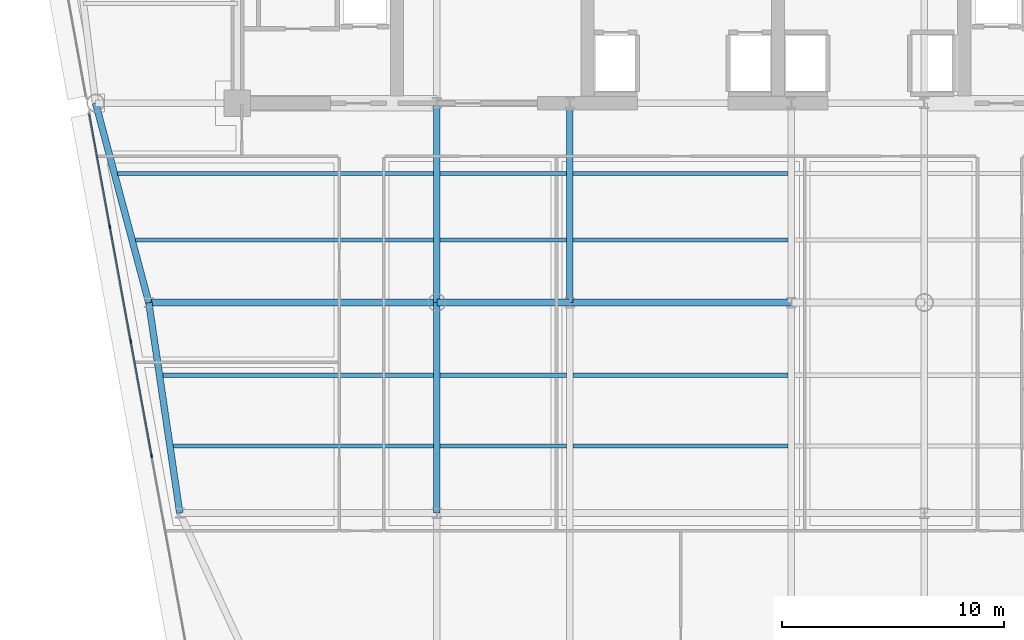
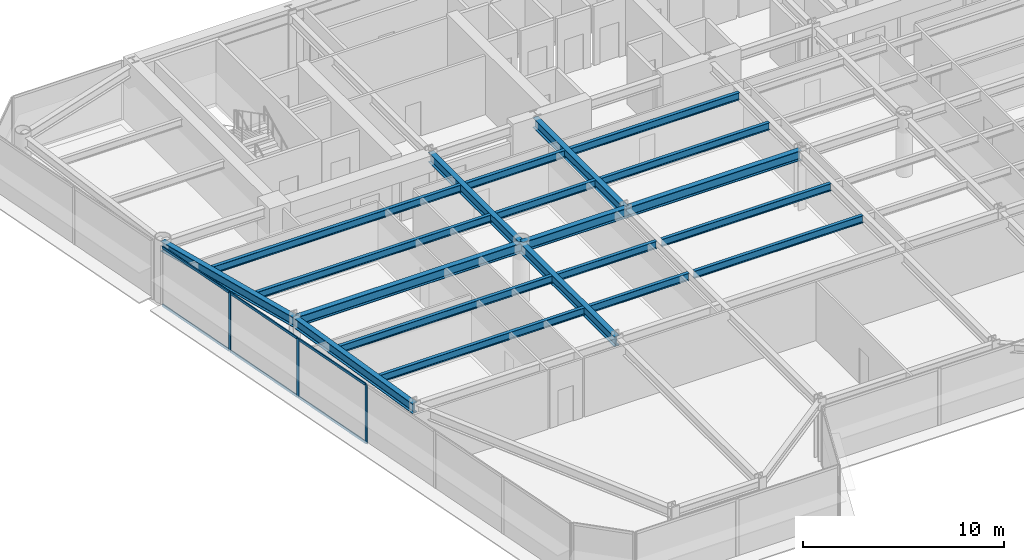
# One storey, part 4 of 17: 20 beams, 9 members, 1 element without a shape of its own.
"""IFC4 building model written with IfcOpenShell, lengths in metres."""

from ifc_helpers import new_model, si_unit, direction, frame, origin, origin_2d, place, context, subcontext, project, spatial, rectangle, i_section, extrude, source, transform, mapped, material, layer, layer_set, material_profile, profile_set, type_object, element, aggregate, save


model = new_model("IFC4")

# Units and contexts
model_context = context("Model", 3, precision=1e-05, world=origin(), true_north=direction((0.0, 1.0)))
body_context = subcontext(model_context, "Body", "Model", "MODEL_VIEW")
ifc_project = project(units=[si_unit("LENGTHUNIT", "METRE"), si_unit("AREAUNIT", "SQUARE_METRE"), si_unit("VOLUMEUNIT", "CUBIC_METRE"), si_unit("PLANEANGLEUNIT", "RADIAN"), si_unit("MASSUNIT", "GRAM", prefix="KILO")], contexts=[model_context])

# Site, building, storey
site_placement = place(None, origin())
site = spatial("IfcSite", under=ifc_project, at=site_placement, CompositionType="ELEMENT")
building_placement = place(site_placement, origin())
building = spatial("IfcBuilding", under=site, at=building_placement, Name="Vaeldorn Concourse Tower", CompositionType="ELEMENT")
storey_placement = place(building_placement, frame((0.0, 0.0, 169.0)))
storey = spatial("IfcBuildingStorey", under=building, at=storey_placement, Name="L43", CompositionType="ELEMENT", Elevation=169.0)

# Beams
ifc_material_1 = material(Name="Steel S355", Category="steel")
ifc_material_profile_1 = material_profile(ifc_material_1, i_section(OverallWidth=0.18994140625, OverallDepth=0.449951171875, WebThickness=0.009521484375, FlangeThickness=0.0146484375, FilletRadius=0.02099609375, at=origin_2d()), Name="IPE 450")
ifc_profile_set_1 = profile_set([ifc_material_profile_1], Name="Steel S355")
beam_type_1 = type_object("IfcBeamType", Name="BM-JS-IPE450", PredefinedType="JOIST", material=ifc_profile_set_1)
shared_shape_1 = source(origin(), body_context, "Body", "SweptSolid", [
    extrude(i_section(OverallWidth=0.18994140625, OverallDepth=0.449951171875, WebThickness=0.009521484375, FlangeThickness=0.0146484375, FilletRadius=0.02099609375, at=origin_2d()), origin(), (0.0, 0.0, 1.0), 5.7001953125),
])
for number, where, z_axis, x_axis, name in (
    (1, (23.14990234375, 21.02001953125, 3.35498046875), (1.0, 0.0, 0.0), (0.0, 1.0, 0.0), "Beam JS-L43-W2-210"),
    (2, (23.14990234375, 24.219970703125, 3.35498046875), (1.0, 0.0, 0.0), (0.0, 1.0, 0.0), "Beam JS-L43-W2-242"),
    (3, (23.14990234375, 30.320068359375, 3.35498046875), (1.0, 0.0, 0.0), (0.0, 1.0, 0.0), "Beam JS-L43-W2-303"),
    (4, (23.14990234375, 33.320068359375, 3.35498046875), (1.0, 0.0, 0.0), (0.0, 1.0, 0.0), "Beam JS-L43-W2-333"),
):
    element("IfcBeam", number, at=place(storey_placement, frame(where, z_axis=z_axis, x_axis=x_axis)), inside=storey, type_object=beam_type_1, Name=name, PredefinedType="JOIST", context=body_context, shape_type="MappedRepresentation", body=[
        mapped(shared_shape_1, transform((0.0, 0.0, 0.0), scale=1.0)),
    ])
shared_shape_2 = source(origin(), body_context, "Body", "SweptSolid", [
    extrude(i_section(OverallWidth=0.18994140625, OverallDepth=0.449951171875, WebThickness=0.009521484375, FlangeThickness=0.0146484375, FilletRadius=0.02099609375, at=origin_2d()), origin(), (0.0, 0.0, 1.0), 9.7001953125),
])
for number, where, z_axis, x_axis, name in (
    (5, (29.14990234375, 21.02001953125, 3.35498046875), (1.0, 0.0, 0.0), (0.0, 1.0, 0.0), "Beam JS-L43-C-210"),
    (6, (29.14990234375, 24.219970703125, 3.35498046875), (1.0, 0.0, 0.0), (0.0, 1.0, 0.0), "Beam JS-L43-C-242"),
    (7, (29.14990234375, 30.320068359375, 3.35498046875), (1.0, 0.0, 0.0), (0.0, 1.0, 0.0), "Beam JS-L43-C-303"),
    (8, (29.14990234375, 33.320068359375, 3.35498046875), (1.0, 0.0, 0.0), (0.0, 1.0, 0.0), "Beam JS-L43-C-333"),
):
    element("IfcBeam", number, at=place(storey_placement, frame(where, z_axis=z_axis, x_axis=x_axis)), inside=storey, type_object=beam_type_1, Name=name, PredefinedType="JOIST", context=body_context, shape_type="MappedRepresentation", body=[
        mapped(shared_shape_2, transform((0.0, 0.0, 0.0), scale=1.0)),
    ])
shared_shape_3 = source(origin(), body_context, "Body", "SweptSolid", [
    extrude(i_section(OverallWidth=0.18994140625, OverallDepth=0.449951171875, WebThickness=0.009521484375, FlangeThickness=0.0146484375, FilletRadius=0.02099609375, at=origin_2d()), origin(), (0.0, 0.0, 1.0), 11.7451171875),
])
beam_1_placement = place(storey_placement, frame((11.10498046875, 21.02001953125, 3.35498046875), z_axis=(1.0, 0.0, 0.0), x_axis=(0.0, 1.0, 0.0)))
element("IfcBeam", 9, at=beam_1_placement, inside=storey, type_object=beam_type_1, Name="Beam JS-L43-W1-210", PredefinedType="JOIST", context=body_context, shape_type="MappedRepresentation", body=[
    mapped(shared_shape_3, transform((0.0, 0.0, 0.0), scale=1.0)),
])
shared_shape_4 = source(origin(), body_context, "Body", "SweptSolid", [
    extrude(i_section(OverallWidth=0.18994140625, OverallDepth=0.449951171875, WebThickness=0.009521484375, FlangeThickness=0.0146484375, FilletRadius=0.02099609375, at=origin_2d()), origin(), (0.0, 0.0, 1.0), 12.216796875),
])
beam_2_placement = place(storey_placement, frame((10.63330078125, 24.219970703125, 3.35498046875), z_axis=(1.0, 0.0, 0.0), x_axis=(0.0, 1.0, 0.0)))
element("IfcBeam", 10, at=beam_2_placement, inside=storey, type_object=beam_type_1, Name="Beam JS-L43-W1-242", PredefinedType="JOIST", context=body_context, shape_type="MappedRepresentation", body=[
    mapped(shared_shape_4, transform((0.0, 0.0, 0.0), scale=1.0)),
])
shared_shape_5 = source(origin(), body_context, "Body", "SweptSolid", [
    extrude(i_section(OverallWidth=0.18994140625, OverallDepth=0.449951171875, WebThickness=0.009521484375, FlangeThickness=0.0146484375, FilletRadius=0.02099609375, at=origin_2d()), origin(), (0.0, 0.0, 1.0), 13.4521484375),
])
beam_3_placement = place(storey_placement, frame((9.39794921875, 30.320068359375, 3.35498046875), z_axis=(1.0, 0.0, 0.0), x_axis=(0.0, 1.0, 0.0)))
element("IfcBeam", 11, at=beam_3_placement, inside=storey, type_object=beam_type_1, Name="Beam JS-L43-W1-303", PredefinedType="JOIST", context=body_context, shape_type="MappedRepresentation", body=[
    mapped(shared_shape_5, transform((0.0, 0.0, 0.0), scale=1.0)),
])
shared_shape_6 = source(origin(), body_context, "Body", "SweptSolid", [
    extrude(i_section(OverallWidth=0.18994140625, OverallDepth=0.449951171875, WebThickness=0.009521484375, FlangeThickness=0.0146484375, FilletRadius=0.02099609375, at=origin_2d()), origin(), (0.0, 0.0, 1.0), 14.252197265625),
])
beam_4_placement = place(storey_placement, frame((8.597900390625, 33.320068359375, 3.35498046875), z_axis=(1.0, 0.0, 0.0), x_axis=(0.0, 1.0, 0.0)))
element("IfcBeam", 12, at=beam_4_placement, inside=storey, type_object=beam_type_1, Name="Beam JS-L43-W1-333", PredefinedType="JOIST", context=body_context, shape_type="MappedRepresentation", body=[
    mapped(shared_shape_6, transform((0.0, 0.0, 0.0), scale=1.0)),
])
ifc_material_profile_2 = material_profile(ifc_material_1, i_section(OverallWidth=0.300048828125, OverallDepth=0.60009765625, WebThickness=0.015380859375, FlangeThickness=0.030029296875, FilletRadius=0.027099609375, at=origin_2d()), Name="HEB 600")
ifc_profile_set_2 = profile_set([ifc_material_profile_2], Name="Steel S355")
beam_type_2 = type_object("IfcBeamType", Name="BM-PG-HEB600", PredefinedType="BEAM", material=ifc_profile_set_2)
shared_shape_7 = source(origin(), body_context, "Body", "SweptSolid", [
    extrude(i_section(OverallWidth=0.300048828125, OverallDepth=0.60009765625, WebThickness=0.015380859375, FlangeThickness=0.030029296875, FilletRadius=0.027099609375, at=origin_2d()), origin(), (0.0, 0.0, 1.0), 6.0),
])
beam_5_placement = place(storey_placement, frame((23.0, 27.5, 3.280029296875), z_axis=(1.0, 0.0, 0.0), x_axis=(0.0, 1.0, 0.0)))
element("IfcBeam", 13, at=beam_5_placement, inside=storey, type_object=beam_type_2, Name="Beam BM-L43-C-TW1-C-TW2", PredefinedType="BEAM", context=body_context, shape_type="MappedRepresentation", body=[
    mapped(shared_shape_7, transform((0.0, 0.0, 0.0), scale=1.0)),
])
shared_shape_8 = source(origin(), body_context, "Body", "SweptSolid", [
    extrude(i_section(OverallWidth=0.300048828125, OverallDepth=0.60009765625, WebThickness=0.015380859375, FlangeThickness=0.030029296875, FilletRadius=0.027099609375, at=origin_2d()), origin(), (0.0, 0.0, 1.0), 10.0),
])
beam_6_placement = place(storey_placement, frame((29.0, 27.5, 3.280029296875), z_axis=(1.0, 0.0, 0.0), x_axis=(0.0, 1.0, 0.0)))
element("IfcBeam", 14, at=beam_6_placement, inside=storey, type_object=beam_type_2, Name="Beam BM-L43-C-TW2-C-TW3", PredefinedType="BEAM", context=body_context, shape_type="MappedRepresentation", body=[
    mapped(shared_shape_8, transform((0.0, 0.0, 0.0), scale=1.0)),
])
shared_shape_9 = source(origin(), body_context, "Body", "SweptSolid", [
    extrude(i_section(OverallWidth=0.300048828125, OverallDepth=0.60009765625, WebThickness=0.015380859375, FlangeThickness=0.030029296875, FilletRadius=0.027099609375, at=origin_2d()), origin(), (0.0, 0.0, 1.0), 9.0),
])
for number, where, z_axis, x_axis, name in (
    (15, (23.0, 27.5, 3.280029296875), (0.0, 1.0, 0.0), (-1.0, 0.0, 0.0), "Beam BM-L43-C-TW1-C-FC2"),
    (16, (29.0, 27.5, 3.280029296875), (0.0, 1.0, 0.0), (-1.0, 0.0, 0.0), "Beam BM-L43-C-TW2-C-FC3"),
):
    element("IfcBeam", number, at=place(storey_placement, frame(where, z_axis=z_axis, x_axis=x_axis)), inside=storey, type_object=beam_type_2, Name=name, PredefinedType="BEAM", context=body_context, shape_type="MappedRepresentation", body=[
        mapped(shared_shape_9, transform((0.0, 0.0, 0.0), scale=1.0)),
    ])
shared_shape_10 = source(origin(), body_context, "Body", "SweptSolid", [
    extrude(i_section(OverallWidth=0.300048828125, OverallDepth=0.60009765625, WebThickness=0.015380859375, FlangeThickness=0.030029296875, FilletRadius=0.027099609375, at=origin_2d()), origin(), (0.0, 0.0, 1.0), 9.314453125),
])
beam_7_placement = place(storey_placement, frame((7.60009765625, 36.5, 3.280029296875), z_axis=(0.257652862255, -0.966237549763, 0.0), x_axis=(0.966237549763, 0.257652862255, 0.0)))
element("IfcBeam", 17, at=beam_7_placement, inside=storey, type_object=beam_type_2, Name="Beam BM-L43-C-NW2-C-FLW1", PredefinedType="BEAM", context=body_context, shape_type="MappedRepresentation", body=[
    mapped(shared_shape_10, transform((0.0, 0.0, 0.0), scale=1.0)),
])
shared_shape_11 = source(origin(), body_context, "Body", "SweptSolid", [
    extrude(i_section(OverallWidth=0.300048828125, OverallDepth=0.60009765625, WebThickness=0.015380859375, FlangeThickness=0.030029296875, FilletRadius=0.027099609375, at=origin_2d()), origin(), (0.0, 0.0, 1.0), 13.0),
])
beam_8_placement = place(storey_placement, frame((10.0, 27.5, 3.280029296875), z_axis=(1.0, 0.0, 0.0), x_axis=(0.0, 1.0, 0.0)))
element("IfcBeam", 18, at=beam_8_placement, inside=storey, type_object=beam_type_2, Name="Beam BM-L43-C-FLW1-C-TW1", PredefinedType="BEAM", context=body_context, shape_type="MappedRepresentation", body=[
    mapped(shared_shape_11, transform((0.0, 0.0, 0.0), scale=1.0)),
])
shared_shape_12 = source(origin(), body_context, "Body", "SweptSolid", [
    extrude(i_section(OverallWidth=0.300048828125, OverallDepth=0.60009765625, WebThickness=0.015380859375, FlangeThickness=0.030029296875, FilletRadius=0.027099609375, at=origin_2d()), origin(), (0.0, 0.0, 1.0), 9.6025390625),
])
beam_9_placement = place(storey_placement, frame((10.0, 27.5, 3.280029296875), z_axis=(0.145783835977, -0.989316467652, 0.0), x_axis=(0.989316467652, 0.145783835977, 0.0)))
element("IfcBeam", 19, at=beam_9_placement, inside=storey, type_object=beam_type_2, Name="Beam BM-L43-C-FLW1-C-FLW2", PredefinedType="BEAM", context=body_context, shape_type="MappedRepresentation", body=[
    mapped(shared_shape_12, transform((0.0, 0.0, 0.0), scale=1.0)),
])
shared_shape_13 = source(origin(), body_context, "Body", "SweptSolid", [
    extrude(i_section(OverallWidth=0.300048828125, OverallDepth=0.60009765625, WebThickness=0.015380859375, FlangeThickness=0.030029296875, FilletRadius=0.027099609375, at=origin_2d()), origin(), (0.0, 0.0, 1.0), 9.5),
])
beam_10_placement = place(storey_placement, frame((23.0, 18.0, 3.280029296875), z_axis=(0.0, 1.0, 0.0), x_axis=(-1.0, 0.0, 0.0)))
element("IfcBeam", 20, at=beam_10_placement, inside=storey, type_object=beam_type_2, Name="Beam BM-L43-C-TW5-C-TW1", PredefinedType="BEAM", context=body_context, shape_type="MappedRepresentation", body=[
    mapped(shared_shape_13, transform((0.0, 0.0, 0.0), scale=1.0)),
])

# Curtain wall, members
ifc_material_2 = material(Name="Anodised Bronze Aluminium", Category="aluminium")
ifc_layer = layer(ifc_material_2, 0.18994140625)
ifc_layer_set = layer_set([ifc_layer], Name="Anodised Bronze Aluminium")
curtain_wall_type = type_object("IfcCurtainWallType", Name="CW-SYS-03", PredefinedType="NOTDEFINED", material=ifc_layer_set)
curtain_wall_placement = place(storey_placement, origin())
curtain_wall = element("IfcCurtainWall", 21, at=curtain_wall_placement, inside=storey, type_object=curtain_wall_type, Name="Unitised Curtain Wall CW-L43-E11-2", PredefinedType="NOTDEFINED")
ifc_material_profile_3 = material_profile(ifc_material_2, rectangle(XDim=0.06494140625, YDim=0.14990234375, at=origin_2d()), Name="CWT 65x150")
ifc_profile_set_3 = profile_set([ifc_material_profile_3], Name="Anodised Bronze Aluminium")
member_type_1 = type_object("IfcMemberType", Name="CWT-BRONZE-150", PredefinedType="USERDEFINED", material=ifc_profile_set_3)
shared_shape_14 = source(origin(), body_context, "Body", "SweptSolid", [
    extrude(rectangle(XDim=0.06494140625, YDim=0.14990234375, at=origin_2d()), origin(), (0.0, 0.0, 1.0), 5.151611328125),
])
member_1_placement = place(storey_placement, frame((7.31298828125, 36.01953125, 0.032470703125), z_axis=(0.179473445995, -0.983762818053, 0.0), x_axis=(0.983762818053, 0.179473445995, 0.0)))
member_1 = element("IfcMember", 22, at=member_1_placement, type_object=member_type_1, Name="CW-03 transom 1.1", ObjectType="TRANSOM", PredefinedType="USERDEFINED", context=body_context, shape_type="MappedRepresentation", body=[
    mapped(shared_shape_14, transform((0.0, 0.0, 0.0), scale=1.0)),
])
member_2_placement = place(storey_placement, frame((7.31298828125, 36.01953125, 3.547607421875), z_axis=(0.179473445995, -0.983762818053, 0.0), x_axis=(0.983762818053, 0.179473445995, 0.0)))
member_2 = element("IfcMember", 23, at=member_2_placement, type_object=member_type_1, Name="CW-03 transom 1.2", ObjectType="TRANSOM", PredefinedType="USERDEFINED", context=body_context, shape_type="MappedRepresentation", body=[
    mapped(shared_shape_14, transform((0.0, 0.0, 0.0), scale=1.0)),
])
shared_shape_15 = source(origin(), body_context, "Body", "SweptSolid", [
    extrude(rectangle(XDim=0.06494140625, YDim=0.14990234375, at=origin_2d()), origin(), (0.0, 0.0, 1.0), 5.18408203125),
])
member_3_placement = place(storey_placement, frame((9.191162109375, 25.7236328125, 0.032470703125), z_axis=(0.179432467646, -0.983770293084, 0.0), x_axis=(0.983770293084, 0.179432467646, 0.0)))
member_3 = element("IfcMember", 24, at=member_3_placement, type_object=member_type_1, Name="CW-03 transom 3.1", ObjectType="TRANSOM", PredefinedType="USERDEFINED", context=body_context, shape_type="MappedRepresentation", body=[
    mapped(shared_shape_15, transform((0.0, 0.0, 0.0), scale=1.0)),
])
member_4_placement = place(storey_placement, frame((9.191162109375, 25.7236328125, 3.547607421875), z_axis=(0.179432467646, -0.983770293084, 0.0), x_axis=(0.983770293084, 0.179432467646, 0.0)))
member_4 = element("IfcMember", 25, at=member_4_placement, type_object=member_type_1, Name="CW-03 transom 3.2", ObjectType="TRANSOM", PredefinedType="USERDEFINED", context=body_context, shape_type="MappedRepresentation", body=[
    mapped(shared_shape_15, transform((0.0, 0.0, 0.0), scale=1.0)),
])
shared_shape_16 = source(origin(), body_context, "Body", "SweptSolid", [
    extrude(rectangle(XDim=0.06494140625, YDim=0.14990234375, at=origin_2d()), origin(), (0.0, 0.0, 1.0), 5.184326171875),
])
member_5_placement = place(storey_placement, frame((8.249267578125, 30.8876953125, 0.032470703125), z_axis=(0.179424154775, -0.983771809254, 0.0), x_axis=(0.983771809254, 0.179424154775, 0.0)))
member_5 = element("IfcMember", 26, at=member_5_placement, type_object=member_type_1, Name="CW-03 transom 2.1", ObjectType="TRANSOM", PredefinedType="USERDEFINED", context=body_context, shape_type="MappedRepresentation", body=[
    mapped(shared_shape_16, transform((0.0, 0.0, 0.0), scale=1.0)),
])
member_6_placement = place(storey_placement, frame((8.249267578125, 30.8876953125, 3.547607421875), z_axis=(0.179424154775, -0.983771809254, 0.0), x_axis=(0.983771809254, 0.179424154775, 0.0)))
member_6 = element("IfcMember", 27, at=member_6_placement, type_object=member_type_1, Name="CW-03 transom 2.2", ObjectType="TRANSOM", PredefinedType="USERDEFINED", context=body_context, shape_type="MappedRepresentation", body=[
    mapped(shared_shape_16, transform((0.0, 0.0, 0.0), scale=1.0)),
])
ifc_material_profile_4 = material_profile(ifc_material_2, rectangle(XDim=0.06494140625, YDim=0.169921875, at=origin_2d()), Name="CWM 65x170")
ifc_profile_set_4 = profile_set([ifc_material_profile_4], Name="Anodised Bronze Aluminium")
member_type_2 = type_object("IfcMemberType", Name="CWM-BRONZE-170", PredefinedType="MULLION", material=ifc_profile_set_4)
shared_shape_17 = source(origin(), body_context, "Body", "SweptSolid", [
    extrude(rectangle(XDim=0.06494140625, YDim=0.169921875, at=origin_2d()), origin(), (0.0, 0.0, 1.0), 3.580078125),
])
member_7_placement = place(storey_placement, frame((8.243408203125, 30.919677734375, 0.0), z_axis=(0.0, 0.0, 1.0), x_axis=(0.983767841325, 0.179445909331, 0.0)))
member_7 = element("IfcMember", 28, at=member_7_placement, type_object=member_type_2, Name="CW-03 mullion 2", PredefinedType="MULLION", context=body_context, shape_type="MappedRepresentation", body=[
    mapped(shared_shape_17, transform((0.0, 0.0, 0.0), scale=1.0)),
])
member_8_placement = place(storey_placement, frame((9.185302734375, 25.755615234375, 0.0), z_axis=(0.0, 0.0, 1.0), x_axis=(0.983767841325, 0.179445909331, 0.0)))
member_8 = element("IfcMember", 29, at=member_8_placement, type_object=member_type_2, Name="CW-03 mullion 3", PredefinedType="MULLION", context=body_context, shape_type="MappedRepresentation", body=[
    mapped(shared_shape_17, transform((0.0, 0.0, 0.0), scale=1.0)),
])
member_9_placement = place(storey_placement, frame((10.127197265625, 20.591796875, 0.0), z_axis=(0.0, 0.0, 1.0), x_axis=(0.983767841325, 0.179445909331, 0.0)))
member_9 = element("IfcMember", 30, at=member_9_placement, type_object=member_type_2, Name="CW-03 mullion 4", PredefinedType="MULLION", context=body_context, shape_type="MappedRepresentation", body=[
    mapped(shared_shape_17, transform((0.0, 0.0, 0.0), scale=1.0)),
])
aggregate(curtain_wall, [member_7, member_8, member_9, member_1, member_2, member_5, member_6, member_3, member_4])

save(model, "model.ifc")
